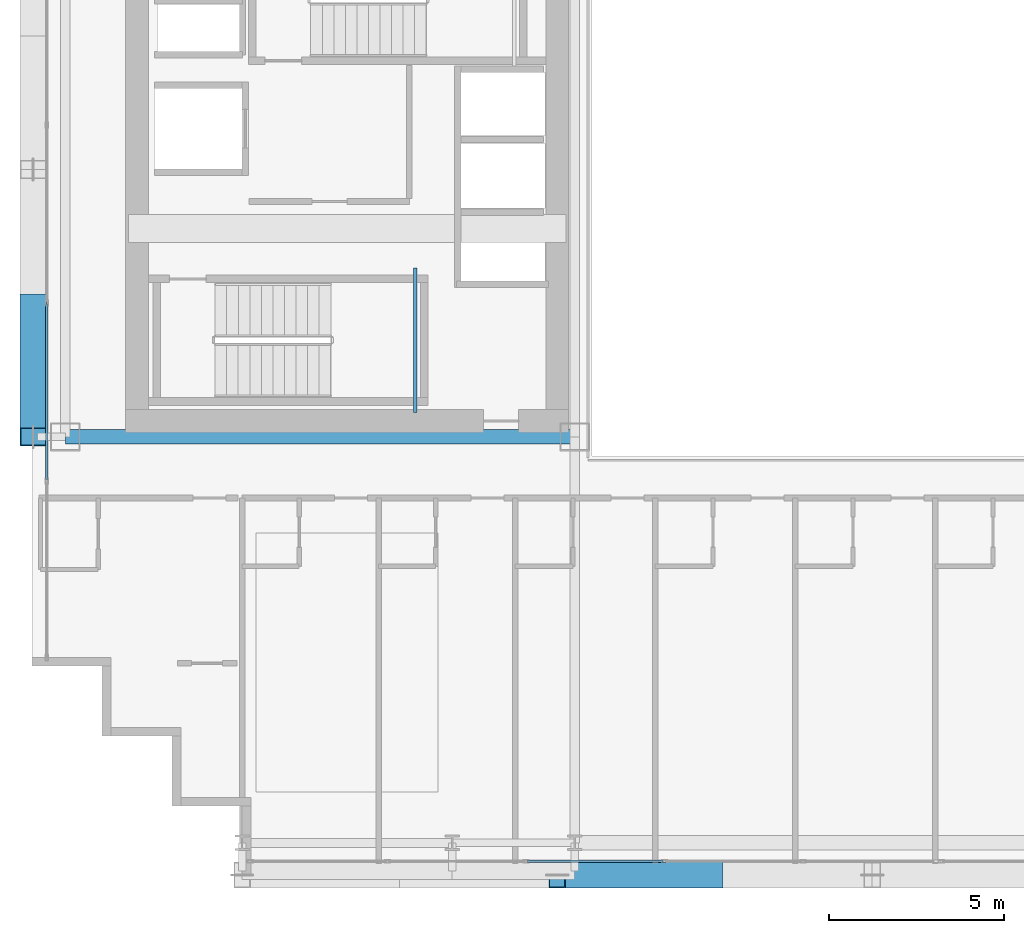
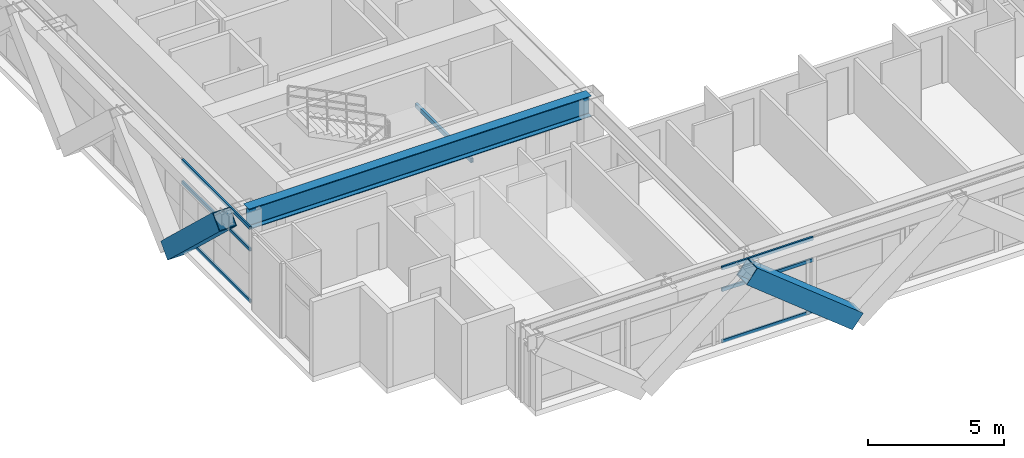
# One storey, part 4 of 36: 8 members, 2 beams, 2 elements without a shape of their own.
"""IFC4 building model written with IfcOpenShell, lengths in metres."""

from ifc_helpers import new_model, si_unit, direction, frame, origin, origin_2d, place, context, subcontext, project, spatial, hollow_rectangle, i_section, extrude, source, transform, mapped, material, layer, layer_set, material_profile, profile_set, type_object, element, aggregate, save


model = new_model("IFC4")

# Units and contexts
model_context = context("Model", 3, precision=1e-05, world=origin(), true_north=direction((0.0, 1.0)))
body_context = subcontext(model_context, "Body", "Model", "MODEL_VIEW")
ifc_project = project(units=[si_unit("LENGTHUNIT", "METRE"), si_unit("AREAUNIT", "SQUARE_METRE"), si_unit("VOLUMEUNIT", "CUBIC_METRE"), si_unit("PLANEANGLEUNIT", "RADIAN"), si_unit("MASSUNIT", "GRAM", prefix="KILO")], contexts=[model_context])

# Site, building, storey
site_placement = place(None, origin())
site = spatial("IfcSite", under=ifc_project, at=site_placement, CompositionType="ELEMENT")
building_placement = place(site_placement, origin())
building = spatial("IfcBuilding", under=site, at=building_placement, Name="Ocotamira Hotel", CompositionType="ELEMENT")
storey_placement = place(building_placement, frame((0.0, 0.0, 129.60009765625)))
storey = spatial("IfcBuildingStorey", under=building, at=storey_placement, Name="L32", CompositionType="ELEMENT", Elevation=129.60009765625)

# Beams
ifc_material_1 = material(Name="Steel ASTM A500 Grade C", Category="steel")
ifc_material_profile_1 = material_profile(ifc_material_1, hollow_rectangle(XDim=0.10009765625, YDim=0.199951171875, WallThickness=0.008056640625, at=origin_2d()), Name="HSS200X100X8")
ifc_profile_set_1 = profile_set([ifc_material_profile_1], Name="Steel ASTM A500 Grade C")
beam_type_1 = type_object("IfcBeamType", Name="BM-STLDG-HSS200", PredefinedType="BEAM", material=ifc_profile_set_1)
shared_shape_1 = source(origin(), body_context, "Body", "SweptSolid", [
    extrude(hollow_rectangle(XDim=0.10009765625, YDim=0.199951171875, WallThickness=0.008056640625, at=origin_2d()), origin(), (0.0, 0.0, 1.0), 4.1201171875),
])
beam_1_placement = place(storey_placement, frame((18.949951171875, 15.25, 1.5), z_axis=(0.0, 1.0, 0.0), x_axis=(-1.0, 0.0, 0.0)))
element("IfcBeam", 1, at=beam_1_placement, inside=storey, type_object=beam_type_1, Name="L32 Stair ST-1 Landing Bearer 1", PredefinedType="BEAM", context=body_context, shape_type="MappedRepresentation", body=[
    mapped(shared_shape_1, transform((0.0, 0.0, 0.0), scale=1.0)),
])
ifc_material_2 = material(Name="Steel ASTM A992 Grade 50", Category="steel")
ifc_material_profile_2 = material_profile(ifc_material_2, i_section(OverallWidth=0.41796875, OverallDepth=0.927001953125, WebThickness=0.019287109375, FlangeThickness=0.031982421875, FilletRadius=0.02392578125, at=origin_2d()), Name="W36X231")
ifc_profile_set_2 = profile_set([ifc_material_profile_2], Name="Steel ASTM A992 Grade 50")
beam_type_2 = type_object("IfcBeamType", Name="BM-GIRD-W36X231", PredefinedType="BEAM", material=ifc_profile_set_2)
shared_shape_2 = source(origin(), body_context, "Body", "SweptSolid", [
    extrude(i_section(OverallWidth=0.41796875, OverallDepth=0.927001953125, WebThickness=0.019287109375, FlangeThickness=0.031982421875, FilletRadius=0.02392578125, at=origin_2d()), origin(), (0.0, 0.0, 1.0), 14.550048828125),
])
beam_2_placement = place(storey_placement, frame((8.949951171875, 14.550048828125, 2.896484375), z_axis=(1.0, 0.0, 0.0), x_axis=(0.0, 1.0, 0.0)))
element("IfcBeam", 2, at=beam_2_placement, inside=storey, type_object=beam_type_2, Name="L32 Girder Y14.55 X8.95-23.5", PredefinedType="BEAM", context=body_context, shape_type="MappedRepresentation", body=[
    mapped(shared_shape_2, transform((0.0, 0.0, 0.0), scale=1.0)),
])

# Members
ifc_material_3 = material(Name="Pale-metal coated steel ASTM A913 Grade 65", Category="steel")
ifc_material_profile_3 = material_profile(ifc_material_3, hollow_rectangle(XDim=0.75, YDim=0.75, WallThickness=0.028076171875, at=origin_2d()), Name="BOX750X750X28")
ifc_profile_set_3 = profile_set([ifc_material_profile_3], Name="Pale-metal coated steel ASTM A913 Grade 65")
member_type_1 = type_object("IfcMemberType", Name="MEM-EXO-BOX750", PredefinedType="BRACE", material=ifc_profile_set_3)
shared_shape_3 = source(origin(), body_context, "Body", "SweptSolid", [
    extrude(hollow_rectangle(XDim=0.75, YDim=0.75, WallThickness=0.028076171875, at=origin_2d()), origin(), (0.0, 0.0, 1.0), 5.24658203125),
])
member_1_placement = place(storey_placement, frame((8.030029296875, 18.36669921875, -0.489990234375), z_axis=(0.0, -0.72746596067, 0.686143772154), x_axis=(1.0, 0.0, 0.0)))
element("IfcMember", 3, at=member_1_placement, inside=storey, type_object=member_type_1, Name="L32 Exoskeleton Diagrid W0.1", PredefinedType="BRACE", context=body_context, shape_type="MappedRepresentation", body=[
    mapped(shared_shape_3, transform((0.0, 0.0, 0.0), scale=1.0)),
])
shared_shape_4 = source(origin(), body_context, "Body", "SweptSolid", [
    extrude(hollow_rectangle(XDim=0.75, YDim=0.75, WallThickness=0.028076171875, at=origin_2d()), origin(), (0.0, 0.0, 1.0), 5.7626953125),
])
member_2_placement = place(storey_placement, frame((27.5, 2.030029296875, -0.489990234375), z_axis=(-0.780881208953, 0.0, 0.624679547852), x_axis=(0.0, -1.0, 0.0)))
element("IfcMember", 4, at=member_2_placement, inside=storey, type_object=member_type_1, Name="L32 Exoskeleton Diagrid S1.1", PredefinedType="BRACE", context=body_context, shape_type="MappedRepresentation", body=[
    mapped(shared_shape_4, transform((0.0, 0.0, 0.0), scale=1.0)),
])

# Curtain wall, members
ifc_material_4 = material(Name="Anodised pale-metal aluminium and solar glass", Category="aluminium")
ifc_layer = layer(ifc_material_4, 0.179931640625)
ifc_layer_set = layer_set([ifc_layer], Name="Anodised pale-metal aluminium and solar glass")
curtain_wall_type = type_object("IfcCurtainWallType", Name="CW-SYS3-Z2", PredefinedType="NOTDEFINED", material=ifc_layer_set)
curtain_wall_1_placement = place(storey_placement, origin())
curtain_wall_1 = element("IfcCurtainWall", 5, at=curtain_wall_1_placement, inside=storey, type_object=curtain_wall_type, Name="L32 Curtain Wall CW-3 CW-L32-S1", PredefinedType="NOTDEFINED")
ifc_material_5 = material(Name="Anodised pale-metal aluminium 6063-T6", Category="aluminium")
ifc_material_profile_4 = material_profile(ifc_material_5, hollow_rectangle(XDim=0.074951171875, YDim=0.14990234375, WallThickness=0.006103515625, at=origin_2d()), Name="HSS150X75X6")
ifc_profile_set_4 = profile_set([ifc_material_profile_4], Name="Anodised pale-metal aluminium 6063-T6")
member_type_2 = type_object("IfcMemberType", Name="CWT-150X75", PredefinedType="USERDEFINED", material=ifc_profile_set_4)
shared_shape_5 = source(origin(), body_context, "Body", "SweptSolid", [
    extrude(hollow_rectangle(XDim=0.074951171875, YDim=0.14990234375, WallThickness=0.006103515625, at=origin_2d()), origin(), (0.0, 0.0, 1.0), 3.87548828125),
])
member_3_placement = place(storey_placement, frame((22.151123046875, 2.419921875, 0.037353515625), z_axis=(1.0, 0.0, 0.0), x_axis=(0.0, 1.0, 0.0)))
member_3 = element("IfcMember", 6, at=member_3_placement, type_object=member_type_2, Name="CW-3 transom 3.1", ObjectType="TRANSOM", PredefinedType="USERDEFINED", context=body_context, shape_type="MappedRepresentation", body=[
    mapped(shared_shape_5, transform((0.0, 0.0, 0.0), scale=1.0)),
])
member_4_placement = place(storey_placement, frame((22.151123046875, 2.419921875, 2.349853515625), z_axis=(1.0, 0.0, 0.0), x_axis=(0.0, 1.0, 0.0)))
member_4 = element("IfcMember", 7, at=member_4_placement, type_object=member_type_2, Name="CW-3 transom 3.2", ObjectType="TRANSOM", PredefinedType="USERDEFINED", context=body_context, shape_type="MappedRepresentation", body=[
    mapped(shared_shape_5, transform((0.0, 0.0, 0.0), scale=1.0)),
])
member_5_placement = place(storey_placement, frame((22.151123046875, 2.419921875, 3.322509765625), z_axis=(1.0, 0.0, 0.0), x_axis=(0.0, 1.0, 0.0)))
member_5 = element("IfcMember", 8, at=member_5_placement, type_object=member_type_2, Name="CW-3 transom 3.3", ObjectType="TRANSOM", PredefinedType="USERDEFINED", context=body_context, shape_type="MappedRepresentation", body=[
    mapped(shared_shape_5, transform((0.0, 0.0, 0.0), scale=1.0)),
])
aggregate(curtain_wall_1, [member_3, member_4, member_5])

curtain_wall_2_placement = place(storey_placement, origin())
curtain_wall_2 = element("IfcCurtainWall", 9, at=curtain_wall_2_placement, inside=storey, type_object=curtain_wall_type, Name="L32 Curtain Wall CW-3 CW-L32-W", PredefinedType="NOTDEFINED")
shared_shape_6 = source(origin(), body_context, "Body", "SweptSolid", [
    extrude(hollow_rectangle(XDim=0.074951171875, YDim=0.14990234375, WallThickness=0.006103515625, at=origin_2d()), origin(), (0.0, 0.0, 1.0), 5.005859375),
])
member_6_placement = place(storey_placement, frame((8.419921875, 13.32568359375, 0.037353515625), z_axis=(0.0, 1.0, 0.0), x_axis=(-1.0, 0.0, 0.0)))
member_6 = element("IfcMember", 10, at=member_6_placement, type_object=member_type_2, Name="CW-3 transom 2.1", ObjectType="TRANSOM", PredefinedType="USERDEFINED", context=body_context, shape_type="MappedRepresentation", body=[
    mapped(shared_shape_6, transform((0.0, 0.0, 0.0), scale=1.0)),
])
member_7_placement = place(storey_placement, frame((8.419921875, 13.32568359375, 2.349853515625), z_axis=(0.0, 1.0, 0.0), x_axis=(-1.0, 0.0, 0.0)))
member_7 = element("IfcMember", 11, at=member_7_placement, type_object=member_type_2, Name="CW-3 transom 2.2", ObjectType="TRANSOM", PredefinedType="USERDEFINED", context=body_context, shape_type="MappedRepresentation", body=[
    mapped(shared_shape_6, transform((0.0, 0.0, 0.0), scale=1.0)),
])
member_8_placement = place(storey_placement, frame((8.419921875, 13.32568359375, 3.322509765625), z_axis=(0.0, 1.0, 0.0), x_axis=(-1.0, 0.0, 0.0)))
member_8 = element("IfcMember", 12, at=member_8_placement, type_object=member_type_2, Name="CW-3 transom 2.3", ObjectType="TRANSOM", PredefinedType="USERDEFINED", context=body_context, shape_type="MappedRepresentation", body=[
    mapped(shared_shape_6, transform((0.0, 0.0, 0.0), scale=1.0)),
])
aggregate(curtain_wall_2, [member_6, member_7, member_8])

save(model, "model.ifc")
